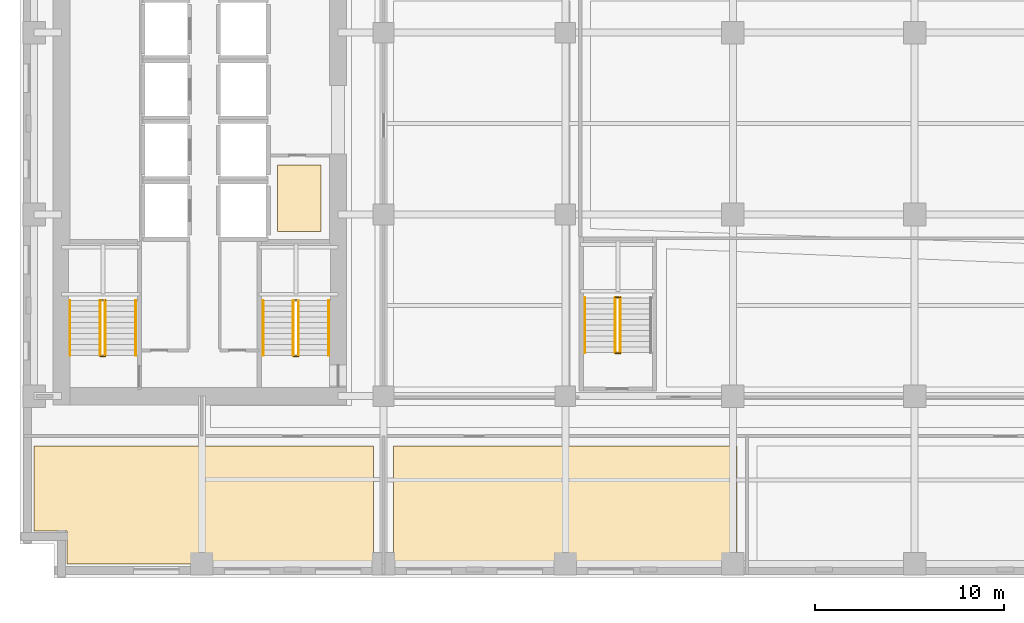
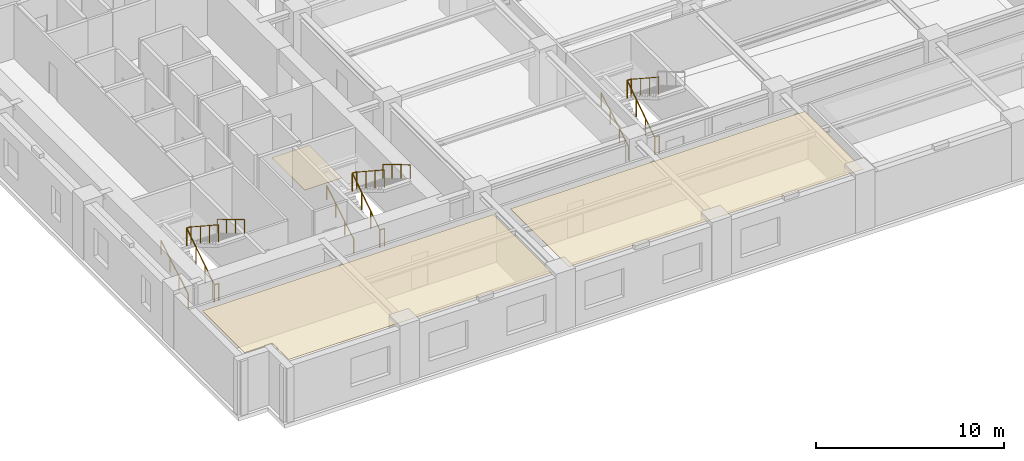
# One storey, part 9 of 13: 17 railings, 3 coverings.
"""IFC4 building model written with IfcOpenShell, lengths in metres."""

import ifcopenshell
import ifcopenshell.guid

model = None  # the IFC model being written
_history = None  # IfcOwnerHistory: only IFC2X3 demands one
_inside = {}  # id of a spatial element -> (the spatial element, [elements in it])
_under = {}  # id of a project, library or spatial element -> (it, [spatial elements below it])
_declared = {}  # id of a project -> (the project, [libraries it declares])
_typed = {}  # id of a type object -> (the type object, [elements of that type])
_made_of = {}  # id of a material, layer set ... -> (it, [elements and type objects made of it])


def new_model(schema):
    """Start an empty IFC model of exactly this schema.

    Asked for "IFC4X3", IfcOpenShell would pick the latest addendum, in which some entities
    have other attributes; the version numbers below select the first issue.
    IFC2X3 requires an IfcOwnerHistory on every rooted entity: one is made here for all.
    """
    global model, _history
    if schema == "IFC4X3":
        model = ifcopenshell.file(schema_version=(4, 3, 0, 0))
    else:
        model = ifcopenshell.file(schema=schema)
    _inside.clear()
    _under.clear()
    _declared.clear()
    _typed.clear()
    _made_of.clear()
    _history = None
    if model.schema == "IFC2X3":
        org = make("IfcOrganization", Name="unknown")
        user = make(
            "IfcPersonAndOrganization",
            ThePerson=make("IfcPerson", FamilyName="unknown"),
            TheOrganization=org,
        )
        app = make(
            "IfcApplication",
            ApplicationDeveloper=org,
            Version="unknown",
            ApplicationFullName="unknown",
            ApplicationIdentifier="unknown",
        )
        _history = make(
            "IfcOwnerHistory",
            OwningUser=user,
            OwningApplication=app,
            ChangeAction="ADDED",
            CreationDate=0,
        )
    return model


def make(cls, **values):
    """One entity of the class cls with the attributes given. An attribute that is None is left unset."""
    return model.create_entity(
        cls, **{name: value for name, value in values.items() if value is not None}
    )


def rooted(cls, **values):
    """An entity with a GlobalId (a new one), such as an element, a storey or a relation."""
    return make(cls, GlobalId=ifcopenshell.guid.new(), OwnerHistory=_history, **values)


def si_unit(unit_type, name, prefix=None):
    """IfcSIUnit, for example si_unit("LENGTHUNIT", "METRE", prefix="MILLI")."""
    return make("IfcSIUnit", UnitType=unit_type, Prefix=prefix, Name=name)


def assignment(units):
    """IfcUnitAssignment: the units of a project."""
    return None if units is None else make("IfcUnitAssignment", Units=units)


def point(xyz):
    """IfcCartesianPoint."""
    return None if xyz is None else make("IfcCartesianPoint", Coordinates=xyz)


def direction(xyz):
    """IfcDirection."""
    return None if xyz is None else make("IfcDirection", DirectionRatios=xyz)


def frame(location, z_axis=None, x_axis=None):
    """IfcAxis2Placement3D, a coordinate frame: its origin and axes. An axis left out is left unset."""
    return make(
        "IfcAxis2Placement3D",
        Location=point(location),
        Axis=direction(z_axis),
        RefDirection=direction(x_axis),
    )


def frame_2d(location, x_axis=None):
    """IfcAxis2Placement2D, a coordinate frame in the plane: its origin and x axis."""
    return make(
        "IfcAxis2Placement2D", Location=point(location), RefDirection=direction(x_axis)
    )


def origin():
    """The frame at (0, 0, 0) with its axes left unset."""
    return frame((0.0, 0.0, 0.0))


def origin_2d():
    """The frame at (0, 0) in the plane with its x axis left unset."""
    return frame_2d((0.0, 0.0))


def place(relative_to, where):
    """IfcLocalPlacement: puts the frame where relative to a parent placement (None: the world)."""
    return make(
        "IfcLocalPlacement", PlacementRelTo=relative_to, RelativePlacement=where
    )


def context(
    kind, dimensions, precision=None, world=None, true_north=None, identifier=None
):
    """IfcGeometricRepresentationContext, for example the 3D "Model" context."""
    return make(
        "IfcGeometricRepresentationContext",
        ContextIdentifier=identifier,
        ContextType=kind,
        CoordinateSpaceDimension=dimensions,
        Precision=precision,
        WorldCoordinateSystem=world,
        TrueNorth=true_north,
    )


def subcontext(parent, identifier, kind, view, scale=None):
    """IfcGeometricRepresentationSubContext, for example "Body" below "Model"."""
    return make(
        "IfcGeometricRepresentationSubContext",
        ContextIdentifier=identifier,
        ContextType=kind,
        ParentContext=parent,
        TargetScale=scale,
        TargetView=view,
    )


def project(units=None, contexts=None):
    """IfcProject with its units and contexts."""
    return rooted(
        "IfcProject",
        Name="project",
        RepresentationContexts=contexts,
        UnitsInContext=assignment(units),
    )


def spatial(cls, under=None, at=None, **own):
    """A site, building, storey or space (cls), placed at a placement, below another one or the project."""
    s = rooted(cls, ObjectPlacement=at, **own)
    if under is not None:
        _under.setdefault(under.id(), (under, []))[1].append(s)
    return s


def polyline(points):
    """IfcPolyline through the points."""
    return make("IfcPolyline", Points=[point(p) for p in points])


def profile(cls, at=None, kind="AREA", **sizes):
    """A parametric profile (cls). Its sizes go by their IFC names, for example OverallWidth=200.0."""
    return make(cls, ProfileType=kind, Position=at, **sizes)


def circle(**sizes):
    """IfcCircleProfileDef."""
    return profile("IfcCircleProfileDef", **sizes)


def outline(outer, holes=None, kind="AREA"):
    """IfcArbitraryClosedProfileDef: a profile drawn as a closed curve; with holes, ...WithVoids."""
    if holes is None:
        return make("IfcArbitraryClosedProfileDef", ProfileType=kind, OuterCurve=outer)
    return make(
        "IfcArbitraryProfileDefWithVoids",
        ProfileType=kind,
        OuterCurve=outer,
        InnerCurves=holes,
    )


def extrude(swept, where, along, depth):
    """IfcExtrudedAreaSolid: the profile swept, set in the frame where, extruded along a direction by depth."""
    return make(
        "IfcExtrudedAreaSolid",
        SweptArea=swept,
        Position=where,
        ExtrudedDirection=direction(along),
        Depth=depth,
    )


def shape(context_of_items, identifier, shape_type, items):
    """IfcShapeRepresentation: the items that make up one representation, for example the "Body"."""
    return make(
        "IfcShapeRepresentation",
        ContextOfItems=context_of_items,
        RepresentationIdentifier=identifier,
        RepresentationType=shape_type,
        Items=items,
    )


def material(Name=None, Category=None):
    """IfcMaterial."""
    return make("IfcMaterial", Name=Name, Category=Category)


def layer(
    of_material, thickness, ventilated=None, Name=None, Category=None, Priority=None
):
    """IfcMaterialLayer: one layer of a wall or slab, of a material (None: an air gap)."""
    return make(
        "IfcMaterialLayer",
        Material=of_material,
        LayerThickness=thickness,
        IsVentilated=ventilated,
        Name=Name,
        Category=Category,
        Priority=Priority,
    )


def layer_set(layers, Name=None):
    """IfcMaterialLayerSet."""
    return make("IfcMaterialLayerSet", MaterialLayers=layers, LayerSetName=Name)


def made_of(thing, what):
    """Note that an element or type object is made of a material, layer set ...; save() writes the relation."""
    if what is not None:
        _made_of.setdefault(what.id(), (what, []))[1].append(thing)
    return thing


def type_object(cls, material=None, **own):
    """A type object (cls), such as IfcWallType, which elements share."""
    return made_of(rooted(cls, **own), material)


def element(
    cls,
    number,
    at=None,
    inside=None,
    cuts=None,
    type_object=None,
    material=None,
    context=None,
    identifier="Body",
    shape_type=None,
    held_by="IfcProductDefinitionShape",
    body=None,
    shapes=None,
    **own,
):
    """One element of the class cls, such as IfcWall. Its Tag is "e" and its number.

    at: its placement. inside: the storey or other place that contains it. cuts: it is an
    opening in that element (IfcRelVoidsElement). A single representation is given by context,
    identifier, shape_type and body (its items); several are given by shapes. held_by: the class
    of the entity that holds the representations. save() writes the other relations.
    """
    e = rooted(cls, Tag="e%d" % number, ObjectPlacement=at, **own)
    if body is not None:
        shapes = [shape(context, identifier, shape_type, body)]
    if shapes is not None:
        e.Representation = make(held_by, Representations=shapes)
    if inside is not None:
        _inside.setdefault(inside.id(), (inside, []))[1].append(e)
    if cuts is not None:
        rooted(
            "IfcRelVoidsElement", RelatingBuildingElement=cuts, RelatedOpeningElement=e
        )
    if type_object is not None:
        _typed.setdefault(type_object.id(), (type_object, []))[1].append(e)
    return made_of(e, material)


def aggregate(whole, parts):
    """IfcRelAggregates: a whole, such as a stair, and the parts it consists of."""
    return rooted("IfcRelAggregates", RelatingObject=whole, RelatedObjects=parts)


def save(model, path):
    """Write the relations noted so far, then the file.

    IfcRelAggregates (storeys below a building ...), IfcRelContainedInSpatialStructure (elements
    in a storey), IfcRelDefinesByType, IfcRelAssociatesMaterial and IfcRelDeclares: one each for
    every whole, place, type object, material and project.
    """
    for whole, parts in _under.values():
        aggregate(whole, parts)
    for where, things in _inside.values():
        rooted(
            "IfcRelContainedInSpatialStructure",
            RelatedElements=things,
            RelatingStructure=where,
        )
    for kind, things in _typed.values():
        rooted("IfcRelDefinesByType", RelatedObjects=things, RelatingType=kind)
    for what, things in _made_of.values():
        rooted("IfcRelAssociatesMaterial", RelatedObjects=things, RelatingMaterial=what)
    for by, libraries in _declared.values():
        rooted("IfcRelDeclares", RelatingContext=by, RelatedDefinitions=libraries)
    model.write(path)


model = new_model("IFC4")

# Units and contexts
model_context = context("Model", 3, precision=1e-05, world=origin(), true_north=direction((0.0, 1.0)))
body_context = subcontext(model_context, "Body", "Model", "MODEL_VIEW")
ifc_project = project(units=[si_unit("LENGTHUNIT", "METRE"), si_unit("AREAUNIT", "SQUARE_METRE"), si_unit("VOLUMEUNIT", "CUBIC_METRE"), si_unit("PLANEANGLEUNIT", "RADIAN"), si_unit("MASSUNIT", "GRAM", prefix="KILO")], contexts=[model_context])

# Site, building, storey
site_placement = place(None, origin())
site = spatial("IfcSite", under=ifc_project, at=site_placement, CompositionType="ELEMENT")
building_placement = place(site_placement, origin())
building = spatial("IfcBuilding", under=site, at=building_placement, Name="Norrvale University Quadrangle", CompositionType="ELEMENT")
storey_placement = place(building_placement, frame((0.0, 0.0, 47.0)))
storey = spatial("IfcBuildingStorey", under=building, at=storey_placement, Name="L11", CompositionType="ELEMENT", Elevation=47.0)

# Coverings
ifc_material_1 = material(Name="Perforated Acoustic Mineral Ceiling")
ifc_layer_1 = layer(ifc_material_1, 0.02490234375, Name="Perforated Acoustic Mineral Ceiling")
ifc_layer_set_1 = layer_set([ifc_layer_1], Name="Perforated Acoustic Mineral Ceiling")
covering_type_1 = type_object("IfcCoveringType", Name="Covering Acoustic Ceiling 25", PredefinedType="CEILING", material=ifc_layer_set_1)
covering_1_placement = place(storey_placement, frame((0.0, 0.0, 3.514892578125)))
element("IfcCovering", 1, at=covering_1_placement, inside=storey, type_object=covering_type_1, Name="Acoustic Ceiling RM-L11-S01", PredefinedType="CEILING", context=body_context, shape_type="SweptSolid", body=[
    extrude(outline(polyline([(0.75, 6.969970703125), (18.669921875, 6.969970703125), (18.669921875, 0.75), (2.469970703125, 0.75), (2.469970703125, 2.469970703125), (0.75, 2.469970703125), (0.75, 6.969970703125)])), origin(), (0.0, 0.0, 1.0), 0.025146484375),
])
covering_2_placement = place(storey_placement, frame((0.0, 0.0, 3.514892578125)))
element("IfcCovering", 2, at=covering_2_placement, inside=storey, type_object=covering_type_1, Name="Acoustic Ceiling RM-L11-S02", PredefinedType="CEILING", context=body_context, shape_type="SweptSolid", body=[
    extrude(outline(polyline([(19.72998046875, 6.969970703125), (37.8701171875, 6.969970703125), (37.8701171875, 0.75), (19.72998046875, 0.75), (19.72998046875, 6.969970703125)])), origin(), (0.0, 0.0, 1.0), 0.025146484375),
])
ifc_material_2 = material(Name="Polished Terrazzo Flooring")
ifc_layer_2 = layer(ifc_material_2, 0.02490234375, Name="Polished Terrazzo Flooring")
ifc_layer_set_2 = layer_set([ifc_layer_2], Name="Polished Terrazzo Flooring")
covering_type_2 = type_object("IfcCoveringType", Name="Covering Terrazzo Floor 30", PredefinedType="FLOORING", material=ifc_layer_set_2)
covering_3_placement = place(storey_placement, origin())
element("IfcCovering", 3, at=covering_3_placement, inside=storey, type_object=covering_type_2, Name="Terrazzo Flooring RM-L11-JAN", PredefinedType="FLOORING", context=body_context, shape_type="SweptSolid", body=[
    extrude(outline(polyline([(13.60009765625, 18.300048828125), (13.60009765625, 21.800048828125), (15.89990234375, 21.800048828125), (15.89990234375, 18.300048828125), (13.60009765625, 18.300048828125)])), origin(), (0.0, 0.0, 1.0), 0.02490234375),
])

# Railings
ifc_material_3 = material(Name="Steel 350W Painted Balustrade", Category="steel")
railing_type_1 = type_object("IfcRailingType", Name="Railing Stair Guard 1100", PredefinedType="GUARDRAIL", material=ifc_material_3)
for number, where, name in (
    (4, (4.239990234375, 11.719970703125, 0.0), "Stair Floor Well Guard ST-01 L11"),
    (5, (4.239990234375, 14.679931640625, 1.89990234375), "Stair Mid-Landing Slot Guard ST-01 L11"),
):
    element("IfcRailing", number, at=place(storey_placement, frame(where)), inside=storey, type_object=railing_type_1, Name=name, PredefinedType="GUARDRAIL", context=body_context, shape_type="SweptSolid", body=[
        extrude(circle(Radius=0.02392578125, at=origin_2d()), frame((0.0, 0.0, 1.1259765625), z_axis=(1.0, 0.0, 0.0), x_axis=(0.0, 1.0, 0.0)), (0.0, 0.0, 1.0), 0.27001953125),
        extrude(circle(Radius=0.02099609375, at=origin_2d()), origin(), (0.0, 0.0, 1.0), 1.101806640625),
        extrude(circle(Radius=0.02099609375, at=origin_2d()), frame((0.27001953125, 0.0, 0.0)), (0.0, 0.0, 1.0), 1.101806640625),
    ])
railing_1_placement = place(storey_placement, frame((4.239990234375, 11.75, 0.0)))
element("IfcRailing", 6, at=railing_1_placement, inside=storey, type_object=railing_type_1, Name="Stair Lower Flight Inner Guard ST-01 L11", PredefinedType="GUARDRAIL", context=body_context, shape_type="SweptSolid", body=[
    extrude(circle(Radius=0.02392578125, at=origin_2d()), frame((0.0, 0.0, 1.1259765625), z_axis=(0.0, 0.836465582154, 0.548019461216), x_axis=(-1.0, 0.0, 0.0)), (0.0, 0.0, 1.0), 3.466796875),
    extrude(circle(Radius=0.02099609375, at=origin_2d()), origin(), (0.0, 0.0, 1.0), 1.101806640625),
    extrude(circle(Radius=0.02099609375, at=origin_2d()), frame((0.0, 0.966552734375, 0.63330078125)), (0.0, 0.0, 1.0), 1.101806640625),
    extrude(circle(Radius=0.02099609375, at=origin_2d()), frame((0.0, 1.933349609375, 1.2666015625)), (0.0, 0.0, 1.0), 1.101806640625),
    extrude(circle(Radius=0.02099609375, at=origin_2d()), frame((0.0, 2.89990234375, 1.89990234375)), (0.0, 0.0, 1.0), 1.101806640625),
])
railing_2_placement = place(storey_placement, frame((4.510009765625, 14.64990234375, 1.89990234375)))
element("IfcRailing", 7, at=railing_2_placement, inside=storey, type_object=railing_type_1, Name="Stair Upper Flight Inner Guard ST-01 L11", PredefinedType="GUARDRAIL", context=body_context, shape_type="SweptSolid", body=[
    extrude(circle(Radius=0.02392578125, at=origin_2d()), frame((0.0, 0.0, 1.1259765625), z_axis=(0.0, -0.836433300813, 0.548068730445), x_axis=(1.0, 0.0, 0.0)), (0.0, 0.0, 1.0), 3.467041015625),
    extrude(circle(Radius=0.02099609375, at=origin_2d()), origin(), (0.0, 0.0, 1.0), 1.101806640625),
    extrude(circle(Radius=0.02099609375, at=origin_2d()), frame((0.0, -0.966552734375, 0.63330078125)), (0.0, 0.0, 1.0), 1.101806640625),
    extrude(circle(Radius=0.02099609375, at=origin_2d()), frame((0.0, -1.933349609375, 1.266845703125)), (0.0, 0.0, 1.0), 1.101806640625),
    extrude(circle(Radius=0.02099609375, at=origin_2d()), frame((0.0, -2.89990234375, 1.900146484375)), (0.0, 0.0, 1.0), 1.101806640625),
])
for number, where, name in (
    (8, (14.43994140625, 11.719970703125, 0.0), "Stair Floor Well Guard ST-03 L11"),
    (9, (14.43994140625, 14.679931640625, 1.89990234375), "Stair Mid-Landing Slot Guard ST-03 L11"),
):
    element("IfcRailing", number, at=place(storey_placement, frame(where)), inside=storey, type_object=railing_type_1, Name=name, PredefinedType="GUARDRAIL", context=body_context, shape_type="SweptSolid", body=[
        extrude(circle(Radius=0.02392578125, at=origin_2d()), frame((0.0, 0.0, 1.1259765625), z_axis=(1.0, 0.0, 0.0), x_axis=(0.0, 1.0, 0.0)), (0.0, 0.0, 1.0), 0.27001953125),
        extrude(circle(Radius=0.02099609375, at=origin_2d()), origin(), (0.0, 0.0, 1.0), 1.101806640625),
        extrude(circle(Radius=0.02099609375, at=origin_2d()), frame((0.27001953125, 0.0, 0.0)), (0.0, 0.0, 1.0), 1.101806640625),
    ])
railing_3_placement = place(storey_placement, frame((14.43994140625, 11.75, 0.0)))
element("IfcRailing", 10, at=railing_3_placement, inside=storey, type_object=railing_type_1, Name="Stair Lower Flight Inner Guard ST-03 L11", PredefinedType="GUARDRAIL", context=body_context, shape_type="SweptSolid", body=[
    extrude(circle(Radius=0.02392578125, at=origin_2d()), frame((0.0, 0.0, 1.1259765625), z_axis=(0.0, 0.836465582154, 0.548019461216), x_axis=(-1.0, 0.0, 0.0)), (0.0, 0.0, 1.0), 3.466796875),
    extrude(circle(Radius=0.02099609375, at=origin_2d()), origin(), (0.0, 0.0, 1.0), 1.101806640625),
    extrude(circle(Radius=0.02099609375, at=origin_2d()), frame((0.0, 0.966552734375, 0.63330078125)), (0.0, 0.0, 1.0), 1.101806640625),
    extrude(circle(Radius=0.02099609375, at=origin_2d()), frame((0.0, 1.933349609375, 1.2666015625)), (0.0, 0.0, 1.0), 1.101806640625),
    extrude(circle(Radius=0.02099609375, at=origin_2d()), frame((0.0, 2.89990234375, 1.89990234375)), (0.0, 0.0, 1.0), 1.101806640625),
])
railing_4_placement = place(storey_placement, frame((14.7099609375, 14.64990234375, 1.89990234375)))
element("IfcRailing", 11, at=railing_4_placement, inside=storey, type_object=railing_type_1, Name="Stair Upper Flight Inner Guard ST-03 L11", PredefinedType="GUARDRAIL", context=body_context, shape_type="SweptSolid", body=[
    extrude(circle(Radius=0.02392578125, at=origin_2d()), frame((0.0, 0.0, 1.1259765625), z_axis=(0.0, -0.836433300813, 0.548068730445), x_axis=(1.0, 0.0, 0.0)), (0.0, 0.0, 1.0), 3.467041015625),
    extrude(circle(Radius=0.02099609375, at=origin_2d()), origin(), (0.0, 0.0, 1.0), 1.101806640625),
    extrude(circle(Radius=0.02099609375, at=origin_2d()), frame((0.0, -0.966552734375, 0.63330078125)), (0.0, 0.0, 1.0), 1.101806640625),
    extrude(circle(Radius=0.02099609375, at=origin_2d()), frame((0.0, -1.933349609375, 1.266845703125)), (0.0, 0.0, 1.0), 1.101806640625),
    extrude(circle(Radius=0.02099609375, at=origin_2d()), frame((0.0, -2.89990234375, 1.900146484375)), (0.0, 0.0, 1.0), 1.101806640625),
])
for number, where, name in (
    (12, (31.43994140625, 11.8701171875, 0.0), "Stair Floor Well Guard ST-04 L11"),
    (13, (31.43994140625, 14.830078125, 1.89990234375), "Stair Mid-Landing Slot Guard ST-04 L11"),
):
    element("IfcRailing", number, at=place(storey_placement, frame(where)), inside=storey, type_object=railing_type_1, Name=name, PredefinedType="GUARDRAIL", context=body_context, shape_type="SweptSolid", body=[
        extrude(circle(Radius=0.02392578125, at=origin_2d()), frame((0.0, 0.0, 1.1259765625), z_axis=(1.0, 0.0, 0.0), x_axis=(0.0, 1.0, 0.0)), (0.0, 0.0, 1.0), 0.27001953125),
        extrude(circle(Radius=0.02099609375, at=origin_2d()), origin(), (0.0, 0.0, 1.0), 1.101806640625),
        extrude(circle(Radius=0.02099609375, at=origin_2d()), frame((0.27001953125, 0.0, 0.0)), (0.0, 0.0, 1.0), 1.101806640625),
    ])
railing_5_placement = place(storey_placement, frame((31.43994140625, 11.89990234375, 0.0)))
element("IfcRailing", 14, at=railing_5_placement, inside=storey, type_object=railing_type_1, Name="Stair Lower Flight Inner Guard ST-04 L11", PredefinedType="GUARDRAIL", context=body_context, shape_type="SweptSolid", body=[
    extrude(circle(Radius=0.02392578125, at=origin_2d()), frame((0.0, 0.0, 1.1259765625), z_axis=(0.0, 0.836486729621, 0.547987181573), x_axis=(-1.0, 0.0, 0.0)), (0.0, 0.0, 1.0), 3.467041015625),
    extrude(circle(Radius=0.02099609375, at=origin_2d()), origin(), (0.0, 0.0, 1.0), 1.101806640625),
    extrude(circle(Radius=0.02099609375, at=origin_2d()), frame((0.0, 0.966796875, 0.63330078125)), (0.0, 0.0, 1.0), 1.101806640625),
    extrude(circle(Radius=0.02099609375, at=origin_2d()), frame((0.0, 1.933349609375, 1.2666015625)), (0.0, 0.0, 1.0), 1.101806640625),
    extrude(circle(Radius=0.02099609375, at=origin_2d()), frame((0.0, 2.900146484375, 1.89990234375)), (0.0, 0.0, 1.0), 1.101806640625),
])
railing_6_placement = place(storey_placement, frame((31.7099609375, 14.800048828125, 1.89990234375)))
element("IfcRailing", 15, at=railing_6_placement, inside=storey, type_object=railing_type_1, Name="Stair Upper Flight Inner Guard ST-04 L11", PredefinedType="GUARDRAIL", context=body_context, shape_type="SweptSolid", body=[
    extrude(circle(Radius=0.02392578125, at=origin_2d()), frame((0.0, 0.0, 1.1259765625), z_axis=(0.0, -0.836454451266, 0.548036450392), x_axis=(1.0, 0.0, 0.0)), (0.0, 0.0, 1.0), 3.46728515625),
    extrude(circle(Radius=0.02099609375, at=origin_2d()), origin(), (0.0, 0.0, 1.0), 1.101806640625),
    extrude(circle(Radius=0.02099609375, at=origin_2d()), frame((0.0, -0.966796875, 0.63330078125)), (0.0, 0.0, 1.0), 1.101806640625),
    extrude(circle(Radius=0.02099609375, at=origin_2d()), frame((0.0, -1.933349609375, 1.266845703125)), (0.0, 0.0, 1.0), 1.101806640625),
    extrude(circle(Radius=0.02099609375, at=origin_2d()), frame((0.0, -2.900146484375, 1.900146484375)), (0.0, 0.0, 1.0), 1.101806640625),
])
ifc_material_4 = material(Name="Stainless Steel 316L Handrail", Category="steel")
railing_type_2 = type_object("IfcRailingType", Name="Railing Stair Handrail 920", PredefinedType="HANDRAIL", material=ifc_material_4)
railing_7_placement = place(storey_placement, frame((2.639892578125, 11.75, 0.172607421875)))
element("IfcRailing", 16, at=railing_7_placement, inside=storey, type_object=railing_type_2, Name="Stair Lower Flight Handrail ST-01 L11", PredefinedType="HANDRAIL", context=body_context, shape_type="SweptSolid", body=[
    extrude(circle(Radius=0.02392578125, at=origin_2d()), frame((0.0, 0.0, 0.89599609375), z_axis=(0.0, 0.859141464434, 0.511738159696), x_axis=(-1.0, 0.0, 0.0)), (0.0, 0.0, 1.0), 3.375244140625),
    extrude(circle(Radius=0.02099609375, at=origin_2d()), origin(), (0.0, 0.0, 1.0), 0.871826171875),
    extrude(circle(Radius=0.02099609375, at=origin_2d()), frame((0.0, 0.966552734375, 0.57568359375)), (0.0, 0.0, 1.0), 0.871826171875),
    extrude(circle(Radius=0.02099609375, at=origin_2d()), frame((0.0, 1.933349609375, 1.151611328125)), (0.0, 0.0, 1.0), 0.871826171875),
    extrude(circle(Radius=0.02099609375, at=origin_2d()), frame((0.0, 2.89990234375, 1.727294921875)), (0.0, 0.0, 1.0), 0.871826171875),
])
railing_8_placement = place(storey_placement, frame((6.110107421875, 14.64990234375, 2.07275390625)))
element("IfcRailing", 17, at=railing_8_placement, inside=storey, type_object=railing_type_2, Name="Stair Upper Flight Handrail ST-01 L11", PredefinedType="HANDRAIL", context=body_context, shape_type="SweptSolid", body=[
    extrude(circle(Radius=0.02392578125, at=origin_2d()), frame((0.0, 0.0, 0.89599609375), z_axis=(0.0, -0.859141464434, 0.511738159696), x_axis=(1.0, 0.0, 0.0)), (0.0, 0.0, 1.0), 3.375244140625),
    extrude(circle(Radius=0.02099609375, at=origin_2d()), origin(), (0.0, 0.0, 1.0), 0.871826171875),
    extrude(circle(Radius=0.02099609375, at=origin_2d()), frame((0.0, -0.966552734375, 0.57568359375)), (0.0, 0.0, 1.0), 0.871826171875),
    extrude(circle(Radius=0.02099609375, at=origin_2d()), frame((0.0, -1.933349609375, 1.151611328125)), (0.0, 0.0, 1.0), 0.871826171875),
    extrude(circle(Radius=0.02099609375, at=origin_2d()), frame((0.0, -2.89990234375, 1.727294921875)), (0.0, 0.0, 1.0), 0.871826171875),
])
railing_9_placement = place(storey_placement, frame((12.840087890625, 11.75, 0.172607421875)))
element("IfcRailing", 18, at=railing_9_placement, inside=storey, type_object=railing_type_2, Name="Stair Lower Flight Handrail ST-03 L11", PredefinedType="HANDRAIL", context=body_context, shape_type="SweptSolid", body=[
    extrude(circle(Radius=0.02392578125, at=origin_2d()), frame((0.0, 0.0, 0.89599609375), z_axis=(0.0, 0.859141464434, 0.511738159696), x_axis=(-1.0, 0.0, 0.0)), (0.0, 0.0, 1.0), 3.375244140625),
    extrude(circle(Radius=0.02099609375, at=origin_2d()), origin(), (0.0, 0.0, 1.0), 0.871826171875),
    extrude(circle(Radius=0.02099609375, at=origin_2d()), frame((0.0, 0.966552734375, 0.57568359375)), (0.0, 0.0, 1.0), 0.871826171875),
    extrude(circle(Radius=0.02099609375, at=origin_2d()), frame((0.0, 1.933349609375, 1.151611328125)), (0.0, 0.0, 1.0), 0.871826171875),
    extrude(circle(Radius=0.02099609375, at=origin_2d()), frame((0.0, 2.89990234375, 1.727294921875)), (0.0, 0.0, 1.0), 0.871826171875),
])
railing_10_placement = place(storey_placement, frame((16.31005859375, 14.64990234375, 2.07275390625)))
element("IfcRailing", 19, at=railing_10_placement, inside=storey, type_object=railing_type_2, Name="Stair Upper Flight Handrail ST-03 L11", PredefinedType="HANDRAIL", context=body_context, shape_type="SweptSolid", body=[
    extrude(circle(Radius=0.02392578125, at=origin_2d()), frame((0.0, 0.0, 0.89599609375), z_axis=(0.0, -0.859141464434, 0.511738159696), x_axis=(1.0, 0.0, 0.0)), (0.0, 0.0, 1.0), 3.375244140625),
    extrude(circle(Radius=0.02099609375, at=origin_2d()), origin(), (0.0, 0.0, 1.0), 0.871826171875),
    extrude(circle(Radius=0.02099609375, at=origin_2d()), frame((0.0, -0.966552734375, 0.57568359375)), (0.0, 0.0, 1.0), 0.871826171875),
    extrude(circle(Radius=0.02099609375, at=origin_2d()), frame((0.0, -1.933349609375, 1.151611328125)), (0.0, 0.0, 1.0), 0.871826171875),
    extrude(circle(Radius=0.02099609375, at=origin_2d()), frame((0.0, -2.89990234375, 1.727294921875)), (0.0, 0.0, 1.0), 0.871826171875),
])
railing_11_placement = place(storey_placement, frame((29.840087890625, 11.89990234375, 0.172607421875)))
element("IfcRailing", 20, at=railing_11_placement, inside=storey, type_object=railing_type_2, Name="Stair Lower Flight Handrail ST-04 L11", PredefinedType="HANDRAIL", context=body_context, shape_type="SweptSolid", body=[
    extrude(circle(Radius=0.02392578125, at=origin_2d()), frame((0.0, 0.0, 0.89599609375), z_axis=(0.0, 0.859160404282, 0.51170636083), x_axis=(-1.0, 0.0, 0.0)), (0.0, 0.0, 1.0), 3.37548828125),
    extrude(circle(Radius=0.02099609375, at=origin_2d()), origin(), (0.0, 0.0, 1.0), 0.871826171875),
    extrude(circle(Radius=0.02099609375, at=origin_2d()), frame((0.0, 0.966796875, 0.57568359375)), (0.0, 0.0, 1.0), 0.871826171875),
    extrude(circle(Radius=0.02099609375, at=origin_2d()), frame((0.0, 1.933349609375, 1.151611328125)), (0.0, 0.0, 1.0), 0.871826171875),
    extrude(circle(Radius=0.02099609375, at=origin_2d()), frame((0.0, 2.900146484375, 1.727294921875)), (0.0, 0.0, 1.0), 0.871826171875),
])

save(model, "model.ifc")
